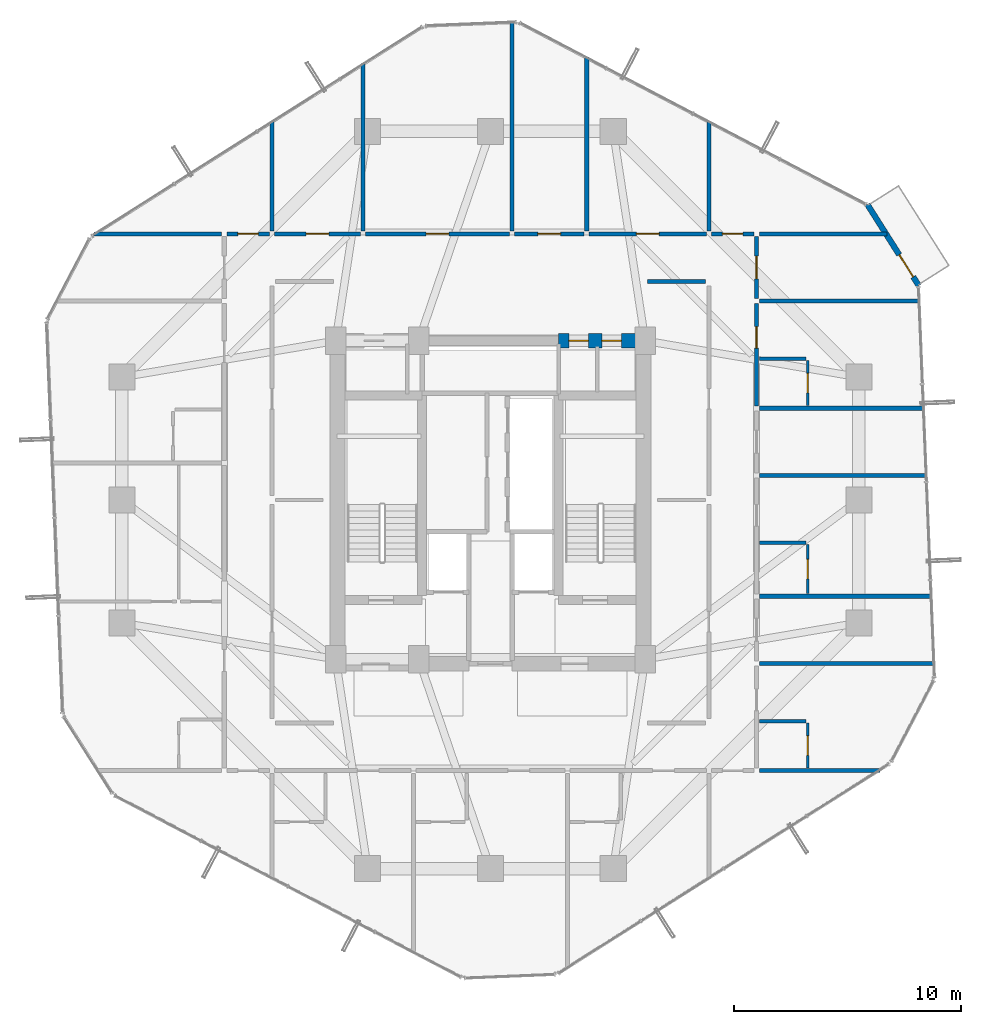
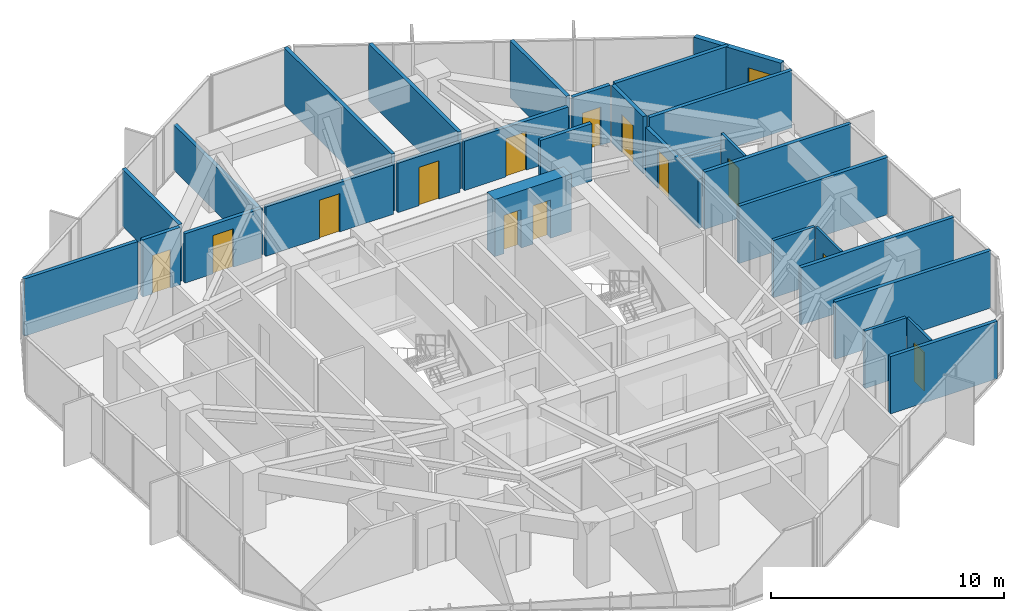
# One storey, part 29 of 32: 30 walls, 14 doors, 14 openings.
"""IFC4 building model written with IfcOpenShell, lengths in metres."""

from ifc_helpers import new_model, si_unit, direction, frame, frame_2d, origin, place, context, subcontext, project, spatial, rectangle, extrude, source, transform, mapped, material, layer, layer_set, type_object, element, fill, save


model = new_model("IFC4")

# Units and contexts
model_context = context("Model", 3, precision=1e-05, world=origin(), true_north=direction((0.0, 1.0)))
body_context = subcontext(model_context, "Body", "Model", "MODEL_VIEW")
ifc_project = project(units=[si_unit("LENGTHUNIT", "METRE"), si_unit("AREAUNIT", "SQUARE_METRE"), si_unit("VOLUMEUNIT", "CUBIC_METRE"), si_unit("PLANEANGLEUNIT", "RADIAN"), si_unit("MASSUNIT", "GRAM", prefix="KILO")], contexts=[model_context])

# Site, building, storey
site_placement = place(None, origin())
site = spatial("IfcSite", under=ifc_project, at=site_placement, CompositionType="ELEMENT")
building_placement = place(site_placement, origin())
building = spatial("IfcBuilding", under=site, at=building_placement, Name="Veraguas Prism Commons", CompositionType="ELEMENT")
storey_placement = place(building_placement, frame((0.0, 0.0, 136.0)))
storey = spatial("IfcBuildingStorey", under=building, at=storey_placement, Name="L38", CompositionType="ELEMENT", Elevation=136.0)

# Wall, openings, doors
ifc_material_1 = material(Name="Concrete C55/67", Category="concrete")
ifc_layer_1 = layer(ifc_material_1, 0.64990234375, Name="Core Outer Shear Wall Mid RC 650", Category="concrete")
ifc_layer_set_1 = layer_set([ifc_layer_1], Name="Concrete C55/67")
wall_type_1 = type_object("IfcWallType", Name="Core Outer Shear Wall Mid RC 650", PredefinedType="SHEAR", material=ifc_layer_set_1)
wall_1_placement = place(storey_placement, frame((27.0, 31.0, 0.0), z_axis=(0.0, 0.0, 1.0), x_axis=(1.0, 0.0, 0.0)))
wall_1 = element("IfcWall", 1, at=wall_1_placement, inside=storey, type_object=wall_type_1, Name="Central Core North-East Shear Wall L38", PredefinedType="SHEAR", context=body_context, shape_type="SweptSolid", body=[
    extrude(rectangle(XDim=3.800048828125, YDim=0.64990234375, at=frame_2d((1.89990234375, 0.0))), origin(), (0.0, 0.0, 1.0), 3.0),
])
opening_1_placement = place(wall_1_placement, frame((0.449951171875, 0.0, 0.0)))
opening_1 = element("IfcOpeningElement", 2, at=opening_1_placement, cuts=wall_1, Name="Opening DR-12", PredefinedType="OPENING", context=body_context, shape_type="SweptSolid", body=[
    extrude(rectangle(XDim=0.860107421875, YDim=2.010009765625, at=frame_2d((0.43017578125, 1.0048828125))), frame((0.0, 0.3349609375, 0.0), z_axis=(0.0, -1.0, 0.0), x_axis=(1.0, 0.0, 0.0)), (0.0, 0.0, 1.0), 0.669921875),
])
opening_2_placement = place(wall_1_placement, frame((1.89990234375, 0.0, 0.0)))
opening_2 = element("IfcOpeningElement", 3, at=opening_2_placement, cuts=wall_1, Name="Opening DR-12", PredefinedType="OPENING", context=body_context, shape_type="SweptSolid", body=[
    extrude(rectangle(XDim=0.860107421875, YDim=2.010009765625, at=frame_2d((0.43017578125, 1.0048828125))), frame((0.0, 0.3349609375, 0.0), z_axis=(0.0, -1.0, 0.0), x_axis=(1.0, 0.0, 0.0)), (0.0, 0.0, 1.0), 0.669921875),
])
ifc_material_2 = material(Name="Steel fire-rated door assembly", Category="steel")
door_type_1 = type_object("IfcDoorType", Name="Core WC Fire Door 860x2010", OperationType="NOTDEFINED", PredefinedType="DOOR", material=ifc_material_2)
shared_shape_1 = source(origin(), body_context, "Body", "SweptSolid", [
    extrude(rectangle(XDim=0.860107421875, YDim=2.010009765625, at=frame_2d((0.43017578125, 1.0048828125))), frame((0.0, 0.02490234375, 0.0), z_axis=(0.0, -1.0, 0.0), x_axis=(1.0, 0.0, 0.0)), (0.0, 0.0, 1.0), 0.050048828125),
])
door_1_placement = place(opening_1_placement, origin())
door_1 = element("IfcDoor", 4, at=door_1_placement, inside=storey, type_object=door_type_1, Name="Core NE Room A Door L38", OperationType="SINGLE_SWING_LEFT", OverallHeight=2.010009765625, OverallWidth=0.860107421875, PredefinedType="DOOR", context=body_context, shape_type="MappedRepresentation", body=[
    mapped(shared_shape_1, transform((0.0, 0.0, 0.0), scale=1.0)),
])
fill(opening_1, door_1)
door_2_placement = place(opening_2_placement, origin())
door_2 = element("IfcDoor", 5, at=door_2_placement, inside=storey, type_object=door_type_1, Name="Core NE Room B Door L38", OperationType="SINGLE_SWING_RIGHT", OverallHeight=2.010009765625, OverallWidth=0.860107421875, PredefinedType="DOOR", context=body_context, shape_type="MappedRepresentation", body=[
    mapped(shared_shape_1, transform((0.0, 0.0, 0.0), scale=1.0)),
])
fill(opening_2, door_2)

# Walls
ifc_material_3 = material(Name="Autoclaved aerated masonry block 10 MPa", Category="masonry")
ifc_layer_2 = layer(ifc_material_3, 0.179931640625, Name="Corridor and Inter-Tenancy Partition 180", Category="masonry")
ifc_layer_set_2 = layer_set([ifc_layer_2], Name="Autoclaved aerated masonry block 10 MPa")
wall_type_2 = type_object("IfcWallType", Name="Corridor and Inter-Tenancy Partition 180", PredefinedType="PARTITIONING", material=ifc_layer_set_2)
wall_2_placement = place(storey_placement, frame((30.89990234375, 33.60009765625, 0.0), z_axis=(0.0, 0.0, 1.0), x_axis=(1.0, 0.0, 0.0)))
element("IfcWall", 6, at=wall_2_placement, inside=storey, type_object=wall_type_2, Name="WL-L38-IREN", PredefinedType="PARTITIONING", context=body_context, shape_type="SweptSolid", body=[
    extrude(rectangle(XDim=2.550048828125, YDim=0.179931640625, at=frame_2d((1.27490234375, 0.0))), origin(), (0.0, 0.0, 1.0), 3.0),
])
wall_3_placement = place(storey_placement, frame((14.39990234375, 35.820068359375, 0.0), z_axis=(0.0, 0.0, 1.0), x_axis=(0.0, 1.0, 0.0)))
element("IfcWall", 7, at=wall_3_placement, inside=storey, type_object=wall_type_2, Name="WL-L38-PT014", PredefinedType="PARTITIONING", context=body_context, shape_type="SweptSolid", body=[
    extrude(rectangle(XDim=4.84130859375, YDim=0.179931640625, at=frame_2d((2.420654296875, 0.0))), origin(), (0.0, 0.0, 1.0), 3.0),
])
wall_4_placement = place(storey_placement, frame((33.60009765625, 35.820068359375, 0.0), z_axis=(0.0, 0.0, 1.0), x_axis=(0.0, 1.0, 0.0)))
element("IfcWall", 8, at=wall_4_placement, inside=storey, type_object=wall_type_2, Name="WL-L38-PT015", PredefinedType="PARTITIONING", context=body_context, shape_type="SweptSolid", body=[
    extrude(rectangle(XDim=4.83984375, YDim=0.179931640625, at=frame_2d((2.419921875, 0.0))), origin(), (0.0, 0.0, 1.0), 3.0),
])

# Wall, opening, door
wall_5_placement = place(storey_placement, frame((14.510009765625, 35.699951171875, 0.0), z_axis=(0.0, 0.0, 1.0), x_axis=(1.0, 0.0, 0.0)))
wall_5 = element("IfcWall", 9, at=wall_5_placement, inside=storey, type_object=wall_type_2, Name="WL-L38-PT016", PredefinedType="PARTITIONING", context=body_context, shape_type="SweptSolid", body=[
    extrude(rectangle(XDim=3.787109375, YDim=0.179931640625, at=frame_2d((1.8935546875, 0.0))), origin(), (0.0, 0.0, 1.0), 2.580078125),
])
opening_3_placement = place(wall_5_placement, frame((1.3935546875, 0.0, 0.0)))
opening_3 = element("IfcOpeningElement", 10, at=opening_3_placement, cuts=wall_5, Name="Opening DR-13", PredefinedType="OPENING", context=body_context, shape_type="SweptSolid", body=[
    extrude(rectangle(XDim=1.0, YDim=2.010009765625, at=frame_2d((0.5, 1.0048828125))), frame((0.0, 0.099853515625, 0.0), z_axis=(0.0, -1.0, 0.0), x_axis=(1.0, 0.0, 0.0)), (0.0, 0.0, 1.0), 0.199951171875),
])
door_type_2 = type_object("IfcDoorType", Name="Core Accessible WC and Clinic Fire Door 1000x2010", OperationType="NOTDEFINED", PredefinedType="DOOR", material=ifc_material_2)
shared_shape_2 = source(origin(), body_context, "Body", "SweptSolid", [
    extrude(rectangle(XDim=1.0, YDim=2.010009765625, at=frame_2d((0.5, 1.0048828125))), frame((0.0, 0.02490234375, 0.0), z_axis=(0.0, -1.0, 0.0), x_axis=(1.0, 0.0, 0.0)), (0.0, 0.0, 1.0), 0.050048828125),
])
door_3_placement = place(opening_3_placement, origin())
door_3 = element("IfcDoor", 11, at=door_3_placement, inside=storey, type_object=door_type_2, Name="Residents Study Room Door", OperationType="SINGLE_SWING_RIGHT", OverallHeight=2.010009765625, OverallWidth=1.0, PredefinedType="DOOR", context=body_context, shape_type="MappedRepresentation", body=[
    mapped(shared_shape_2, transform((0.0, 0.0, 0.0), scale=1.0)),
])
fill(opening_3, door_3)

wall_6_placement = place(storey_placement, frame((18.51708984375, 35.699951171875, 0.0), z_axis=(0.0, 0.0, 1.0), x_axis=(1.0, 0.0, 0.0)))
wall_6 = element("IfcWall", 12, at=wall_6_placement, inside=storey, type_object=wall_type_2, Name="WL-L38-PT017", PredefinedType="PARTITIONING", context=body_context, shape_type="SweptSolid", body=[
    extrude(rectangle(XDim=6.31689453125, YDim=0.179931640625, at=frame_2d((3.158447265625, 0.0))), origin(), (0.0, 0.0, 1.0), 2.580078125),
])
opening_4_placement = place(wall_6_placement, frame((2.658447265625, 0.0, 0.0)))
opening_4 = element("IfcOpeningElement", 13, at=opening_4_placement, cuts=wall_6, Name="Opening DR-13", PredefinedType="OPENING", context=body_context, shape_type="SweptSolid", body=[
    extrude(rectangle(XDim=1.0, YDim=2.010009765625, at=frame_2d((0.5, 1.0048828125))), frame((0.0, 0.099853515625, 0.0), z_axis=(0.0, -1.0, 0.0), x_axis=(1.0, 0.0, 0.0)), (0.0, 0.0, 1.0), 0.199951171875),
])
door_4_placement = place(opening_4_placement, origin())
door_4 = element("IfcDoor", 14, at=door_4_placement, inside=storey, type_object=door_type_2, Name="Co-op Store N Door", OperationType="SINGLE_SWING_LEFT", OverallHeight=2.010009765625, OverallWidth=1.0, PredefinedType="DOOR", context=body_context, shape_type="MappedRepresentation", body=[
    mapped(shared_shape_2, transform((0.0, 0.0, 0.0), scale=1.0)),
])
fill(opening_4, door_4)

# Walls
wall_7_placement = place(storey_placement, frame((18.406982421875, 35.820068359375, 0.0), z_axis=(0.0, 0.0, 1.0), x_axis=(0.0, 1.0, 0.0)))
element("IfcWall", 15, at=wall_7_placement, inside=storey, type_object=wall_type_2, Name="WL-L38-PT018", PredefinedType="PARTITIONING", context=body_context, shape_type="SweptSolid", body=[
    extrude(rectangle(XDim=7.37841796875, YDim=0.179931640625, at=frame_2d((3.689208984375, 0.0))), origin(), (0.0, 0.0, 1.0), 2.3779296875),
])
wall_8_placement = place(storey_placement, frame((24.944091796875, 35.820068359375, 0.0), z_axis=(0.0, 0.0, 1.0), x_axis=(0.0, 1.0, 0.0)))
element("IfcWall", 16, at=wall_8_placement, inside=storey, type_object=wall_type_2, Name="WL-L38-PT019", PredefinedType="PARTITIONING", context=body_context, shape_type="SweptSolid", body=[
    extrude(rectangle(XDim=9.217041015625, YDim=0.179931640625, at=frame_2d((4.6083984375, 0.0))), origin(), (0.0, 0.0, 1.0), 3.0),
])

# Wall, opening, door
wall_9_placement = place(storey_placement, frame((25.053955078125, 35.699951171875, 0.0), z_axis=(0.0, 0.0, 1.0), x_axis=(1.0, 0.0, 0.0)))
wall_9 = element("IfcWall", 17, at=wall_9_placement, inside=storey, type_object=wall_type_2, Name="WL-L38-PT020", PredefinedType="PARTITIONING", context=body_context, shape_type="SweptSolid", body=[
    extrude(rectangle(XDim=3.069091796875, YDim=0.179931640625, at=frame_2d((1.53466796875, 0.0))), origin(), (0.0, 0.0, 1.0), 2.580078125),
])
opening_5_placement = place(wall_9_placement, frame((1.034423828125, 0.0, 0.0)))
opening_5 = element("IfcOpeningElement", 18, at=opening_5_placement, cuts=wall_9, Name="Opening DR-13", PredefinedType="OPENING", context=body_context, shape_type="SweptSolid", body=[
    extrude(rectangle(XDim=1.0, YDim=2.010009765625, at=frame_2d((0.5, 1.0048828125))), frame((0.0, 0.099853515625, 0.0), z_axis=(0.0, -1.0, 0.0), x_axis=(1.0, 0.0, 0.0)), (0.0, 0.0, 1.0), 0.199951171875),
])
door_5_placement = place(opening_5_placement, origin())
door_5 = element("IfcDoor", 19, at=door_5_placement, inside=storey, type_object=door_type_2, Name="Shared Laundry Room Door", OperationType="SINGLE_SWING_RIGHT", OverallHeight=2.010009765625, OverallWidth=1.0, PredefinedType="DOOR", context=body_context, shape_type="MappedRepresentation", body=[
    mapped(shared_shape_2, transform((0.0, 0.0, 0.0), scale=1.0)),
])
fill(opening_5, door_5)

wall_10_placement = place(storey_placement, frame((28.343017578125, 35.699951171875, 0.0), z_axis=(0.0, 0.0, 1.0), x_axis=(1.0, 0.0, 0.0)))
wall_10 = element("IfcWall", 20, at=wall_10_placement, inside=storey, type_object=wall_type_2, Name="WL-L38-PT021", PredefinedType="PARTITIONING", context=body_context, shape_type="SweptSolid", body=[
    extrude(rectangle(XDim=5.14697265625, YDim=0.179931640625, at=frame_2d((2.573486328125, 0.0))), origin(), (0.0, 0.0, 1.0), 2.580078125),
])
opening_6_placement = place(wall_10_placement, frame((2.073486328125, 0.0, 0.0)))
opening_6 = element("IfcOpeningElement", 21, at=opening_6_placement, cuts=wall_10, Name="Opening DR-13", PredefinedType="OPENING", context=body_context, shape_type="SweptSolid", body=[
    extrude(rectangle(XDim=1.0, YDim=2.010009765625, at=frame_2d((0.5, 1.0048828125))), frame((0.0, 0.099853515625, 0.0), z_axis=(0.0, -1.0, 0.0), x_axis=(1.0, 0.0, 0.0)), (0.0, 0.0, 1.0), 0.199951171875),
])
door_6_placement = place(opening_6_placement, origin())
door_6 = element("IfcDoor", 22, at=door_6_placement, inside=storey, type_object=door_type_2, Name="Co-op Store N Door", OperationType="SINGLE_SWING_LEFT", OverallHeight=2.010009765625, OverallWidth=1.0, PredefinedType="DOOR", context=body_context, shape_type="MappedRepresentation", body=[
    mapped(shared_shape_2, transform((0.0, 0.0, 0.0), scale=1.0)),
])
fill(opening_6, door_6)

# Walls
wall_11_placement = place(storey_placement, frame((28.23291015625, 35.820068359375, 0.0), z_axis=(0.0, 0.0, 1.0), x_axis=(0.0, 1.0, 0.0)))
element("IfcWall", 23, at=wall_11_placement, inside=storey, type_object=wall_type_2, Name="WL-L38-PT022", PredefinedType="PARTITIONING", context=body_context, shape_type="SweptSolid", body=[
    extrude(rectangle(XDim=7.65283203125, YDim=0.179931640625, at=frame_2d((3.826416015625, 0.0))), origin(), (0.0, 0.0, 1.0), 3.0),
])
wall_12_placement = place(storey_placement, frame((12.179931640625, 35.699951171875, 0.0), z_axis=(0.0, 0.0, 1.0), x_axis=(-1.0, 0.0, 0.0)))
element("IfcWall", 24, at=wall_12_placement, inside=storey, type_object=wall_type_2, Name="WL-L38-PT024", PredefinedType="PARTITIONING", context=body_context, shape_type="SweptSolid", body=[
    extrude(rectangle(XDim=5.615966796875, YDim=0.179931640625, at=frame_2d((2.80810546875, 0.0))), origin(), (0.0, 0.0, 1.0), 3.0),
])
wall_13_placement = place(storey_placement, frame((35.820068359375, 12.10009765625, 0.0), z_axis=(0.0, 0.0, 1.0), x_axis=(1.0, 0.0, 0.0)))
element("IfcWall", 25, at=wall_13_placement, inside=storey, type_object=wall_type_2, Name="WL-L38-PT037", PredefinedType="PARTITIONING", context=body_context, shape_type="SweptSolid", body=[
    extrude(rectangle(XDim=5.300048828125, YDim=0.179931640625, at=frame_2d((2.64990234375, 0.0))), origin(), (0.0, 0.0, 1.0), 3.0),
])
wall_14_placement = place(storey_placement, frame((35.820068359375, 35.699951171875, 0.0), z_axis=(0.0, 0.0, 1.0), x_axis=(1.0, 0.0, 0.0)))
element("IfcWall", 26, at=wall_14_placement, inside=storey, type_object=wall_type_2, Name="WL-L38-PT038", PredefinedType="PARTITIONING", context=body_context, shape_type="SweptSolid", body=[
    extrude(rectangle(XDim=5.60498046875, YDim=0.179931640625, at=frame_2d((2.802490234375, 0.0))), origin(), (0.0, 0.0, 1.0), 3.0),
])
wall_15_placement = place(storey_placement, frame((35.820068359375, 16.818115234375, 0.0), z_axis=(0.0, 0.0, 1.0), x_axis=(1.0, 0.0, 0.0)))
element("IfcWall", 27, at=wall_15_placement, inside=storey, type_object=wall_type_2, Name="WL-L38-PT040", PredefinedType="PARTITIONING", context=body_context, shape_type="SweptSolid", body=[
    extrude(rectangle(XDim=7.701904296875, YDim=0.179931640625, at=frame_2d((3.85107421875, 0.0))), origin(), (0.0, 0.0, 1.0), 3.0),
])
wall_16_placement = place(storey_placement, frame((35.820068359375, 19.76806640625, 0.0), z_axis=(0.0, 0.0, 1.0), x_axis=(1.0, 0.0, 0.0)))
element("IfcWall", 28, at=wall_16_placement, inside=storey, type_object=wall_type_2, Name="WL-L38-PT044", PredefinedType="PARTITIONING", context=body_context, shape_type="SweptSolid", body=[
    extrude(rectangle(XDim=7.58154296875, YDim=0.179931640625, at=frame_2d((3.790771484375, 0.0))), origin(), (0.0, 0.0, 1.0), 3.0),
])
wall_17_placement = place(storey_placement, frame((35.820068359375, 25.08203125, 0.0), z_axis=(0.0, 0.0, 1.0), x_axis=(1.0, 0.0, 0.0)))
element("IfcWall", 29, at=wall_17_placement, inside=storey, type_object=wall_type_2, Name="WL-L38-PT046", PredefinedType="PARTITIONING", context=body_context, shape_type="SweptSolid", body=[
    extrude(rectangle(XDim=7.3642578125, YDim=0.179931640625, at=frame_2d((3.68212890625, 0.0))), origin(), (0.0, 0.0, 1.0), 3.0),
])
wall_18_placement = place(storey_placement, frame((35.820068359375, 28.031982421875, 0.0), z_axis=(0.0, 0.0, 1.0), x_axis=(1.0, 0.0, 0.0)))
element("IfcWall", 30, at=wall_18_placement, inside=storey, type_object=wall_type_2, Name="WL-L38-PT050", PredefinedType="PARTITIONING", context=body_context, shape_type="SweptSolid", body=[
    extrude(rectangle(XDim=7.24365234375, YDim=0.179931640625, at=frame_2d((3.621826171875, 0.0))), origin(), (0.0, 0.0, 1.0), 3.0),
])

# Wall, opening, door
wall_19_placement = place(storey_placement, frame((35.699951171875, 32.860107421875, 0.0), z_axis=(0.0, 0.0, 1.0), x_axis=(0.0, 1.0, 0.0)))
wall_19 = element("IfcWall", 31, at=wall_19_placement, inside=storey, type_object=wall_type_2, Name="WL-L38-PT051", PredefinedType="PARTITIONING", context=body_context, shape_type="SweptSolid", body=[
    extrude(rectangle(XDim=2.72998046875, YDim=0.179931640625, at=frame_2d((1.364990234375, 0.0))), origin(), (0.0, 0.0, 1.0), 3.0),
])
opening_7_placement = place(wall_19_placement, frame((0.864990234375, 0.0, 0.0)))
opening_7 = element("IfcOpeningElement", 32, at=opening_7_placement, cuts=wall_19, Name="Opening DR-13", PredefinedType="OPENING", context=body_context, shape_type="SweptSolid", body=[
    extrude(rectangle(XDim=1.0, YDim=2.010009765625, at=frame_2d((0.5, 1.0048828125))), frame((0.0, 0.099853515625, 0.0), z_axis=(0.0, -1.0, 0.0), x_axis=(1.0, 0.0, 0.0)), (0.0, 0.0, 1.0), 0.199951171875),
])
door_7_placement = place(opening_7_placement, origin())
door_7 = element("IfcDoor", 33, at=door_7_placement, inside=storey, type_object=door_type_2, Name="Quiet Study E Door", OperationType="SINGLE_SWING_LEFT", OverallHeight=2.010009765625, OverallWidth=1.0, PredefinedType="DOOR", context=body_context, shape_type="MappedRepresentation", body=[
    mapped(shared_shape_2, transform((0.0, 0.0, 0.0), scale=1.0)),
])
fill(opening_7, door_7)

# Wall
wall_20_placement = place(storey_placement, frame((35.820068359375, 32.75, 0.0), z_axis=(0.0, 0.0, 1.0), x_axis=(1.0, 0.0, 0.0)))
element("IfcWall", 34, at=wall_20_placement, inside=storey, type_object=wall_type_2, Name="WL-L38-PT052", PredefinedType="PARTITIONING", context=body_context, shape_type="SweptSolid", body=[
    extrude(rectangle(XDim=7.051025390625, YDim=0.179931640625, at=frame_2d((3.525390625, 0.0))), origin(), (0.0, 0.0, 1.0), 3.0),
])

# Wall, opening, door
wall_21_placement = place(storey_placement, frame((35.699951171875, 28.14208984375, 0.0), z_axis=(0.0, 0.0, 1.0), x_axis=(0.0, 1.0, 0.0)))
wall_21 = element("IfcWall", 35, at=wall_21_placement, inside=storey, type_object=wall_type_2, Name="WL-L38-PT053", PredefinedType="PARTITIONING", context=body_context, shape_type="SweptSolid", body=[
    extrude(rectangle(XDim=4.497802734375, YDim=0.179931640625, at=frame_2d((2.2490234375, 0.0))), origin(), (0.0, 0.0, 1.0), 2.580078125),
])
opening_8_placement = place(wall_21_placement, frame((2.529541015625, 0.0, 0.0)))
opening_8 = element("IfcOpeningElement", 36, at=opening_8_placement, cuts=wall_21, Name="Opening DR-01", PredefinedType="OPENING", context=body_context, shape_type="SweptSolid", body=[
    extrude(rectangle(XDim=0.949951171875, YDim=2.02001953125, at=frame_2d((0.47509765625, 1.010009765625))), frame((0.0, 0.099853515625, 0.0), z_axis=(0.0, -1.0, 0.0), x_axis=(1.0, 0.0, 0.0)), (0.0, 0.0, 1.0), 0.199951171875),
])
ifc_material_4 = material(Name="Anodised aluminium EN AW-6063 T6", Category="aluminium")
door_type_3 = type_object("IfcDoorType", Name="Apartment Entrance Fire Door 950x2020", OperationType="NOTDEFINED", PredefinedType="DOOR", material=ifc_material_4)
shared_shape_3 = source(origin(), body_context, "Body", "SweptSolid", [
    extrude(rectangle(XDim=0.949951171875, YDim=2.02001953125, at=frame_2d((0.47509765625, 1.010009765625))), frame((0.0, 0.02490234375, 0.0), z_axis=(0.0, -1.0, 0.0), x_axis=(1.0, 0.0, 0.0)), (0.0, 0.0, 1.0), 0.050048828125),
])
door_8_placement = place(opening_8_placement, origin())
door_8 = element("IfcDoor", 37, at=door_8_placement, inside=storey, type_object=door_type_3, Name="Studio 38H Entrance Door", OperationType="SINGLE_SWING_RIGHT", OverallHeight=2.02001953125, OverallWidth=0.949951171875, PredefinedType="DOOR", context=body_context, shape_type="MappedRepresentation", body=[
    mapped(shared_shape_3, transform((0.0, 0.0, 0.0), scale=1.0)),
])
fill(opening_8, door_8)

wall_22_placement = place(storey_placement, frame((12.419921875, 35.699951171875, 0.0), z_axis=(0.0, 0.0, 1.0), x_axis=(1.0, 0.0, 0.0)))
wall_22 = element("IfcWall", 38, at=wall_22_placement, inside=storey, type_object=wall_type_2, Name="WL-L38-PT058", PredefinedType="PARTITIONING", context=body_context, shape_type="SweptSolid", body=[
    extrude(rectangle(XDim=1.860107421875, YDim=0.179931640625, at=frame_2d((0.93017578125, 0.0))), origin(), (0.0, 0.0, 1.0), 3.0),
])
opening_9_placement = place(wall_22_placement, frame((0.47998046875, 0.0, 0.0)))
opening_9 = element("IfcOpeningElement", 39, at=opening_9_placement, cuts=wall_22, Name="Opening DR-14", PredefinedType="OPENING", context=body_context, shape_type="SweptSolid", body=[
    extrude(rectangle(XDim=0.89990234375, YDim=2.010009765625, at=frame_2d((0.449951171875, 1.0048828125))), frame((0.0, 0.099853515625, 0.0), z_axis=(0.0, -1.0, 0.0), x_axis=(1.0, 0.0, 0.0)), (0.0, 0.0, 1.0), 0.199951171875),
])
door_type_4 = type_object("IfcDoorType", Name="Core Service Room Fire Door 900x2010", OperationType="NOTDEFINED", PredefinedType="DOOR", material=ifc_material_2)
shared_shape_4 = source(origin(), body_context, "Body", "SweptSolid", [
    extrude(rectangle(XDim=0.89990234375, YDim=2.010009765625, at=frame_2d((0.449951171875, 1.0048828125))), frame((0.0, 0.02490234375, 0.0), z_axis=(0.0, -1.0, 0.0), x_axis=(1.0, 0.0, 0.0)), (0.0, 0.0, 1.0), 0.050048828125),
])
door_9_placement = place(opening_9_placement, origin())
door_9 = element("IfcDoor", 40, at=door_9_placement, inside=storey, type_object=door_type_4, Name="Residents Cycle and Pram Store NW Door", OperationType="SINGLE_SWING_RIGHT", OverallHeight=2.010009765625, OverallWidth=0.89990234375, PredefinedType="DOOR", context=body_context, shape_type="MappedRepresentation", body=[
    mapped(shared_shape_4, transform((0.0, 0.0, 0.0), scale=1.0)),
])
fill(opening_9, door_9)

wall_23_placement = place(storey_placement, frame((33.719970703125, 35.699951171875, 0.0), z_axis=(0.0, 0.0, 1.0), x_axis=(1.0, 0.0, 0.0)))
wall_23 = element("IfcWall", 41, at=wall_23_placement, inside=storey, type_object=wall_type_2, Name="WL-L38-PT059", PredefinedType="PARTITIONING", context=body_context, shape_type="SweptSolid", body=[
    extrude(rectangle(XDim=1.860107421875, YDim=0.179931640625, at=frame_2d((0.93017578125, 0.0))), origin(), (0.0, 0.0, 1.0), 3.0),
])
opening_10_placement = place(wall_23_placement, frame((0.47998046875, 0.0, 0.0)))
opening_10 = element("IfcOpeningElement", 42, at=opening_10_placement, cuts=wall_23, Name="Opening DR-14", PredefinedType="OPENING", context=body_context, shape_type="SweptSolid", body=[
    extrude(rectangle(XDim=0.89990234375, YDim=2.010009765625, at=frame_2d((0.449951171875, 1.0048828125))), frame((0.0, 0.099853515625, 0.0), z_axis=(0.0, -1.0, 0.0), x_axis=(1.0, 0.0, 0.0)), (0.0, 0.0, 1.0), 0.199951171875),
])
door_10_placement = place(opening_10_placement, origin())
door_10 = element("IfcDoor", 43, at=door_10_placement, inside=storey, type_object=door_type_4, Name="Residents Corner Study Room NE Door", OperationType="SINGLE_SWING_LEFT", OverallHeight=2.010009765625, OverallWidth=0.89990234375, PredefinedType="DOOR", context=body_context, shape_type="MappedRepresentation", body=[
    mapped(shared_shape_4, transform((0.0, 0.0, 0.0), scale=1.0)),
])
fill(opening_10, door_10)

ifc_material_5 = material(Name="Precast concrete C40/50", Category="concrete")
ifc_layer_3 = layer(ifc_material_5, 0.25, Name="External Loggia and Portal Wall 250", Category="concrete")
ifc_layer_set_3 = layer_set([ifc_layer_3], Name="Precast concrete C40/50")
wall_type_3 = type_object("IfcWallType", Name="External Loggia and Portal Wall 250", PredefinedType="SOLIDWALL", material=ifc_layer_set_3)
wall_24_placement = place(storey_placement, frame((42.83349609375, 33.41943359375, 0.0), z_axis=(0.0, 0.0, 1.0), x_axis=(-0.534940933302, 0.84488945897, 0.0)))
wall_24 = element("IfcWall", 44, at=wall_24_placement, inside=storey, type_object=wall_type_3, Name="Corner Loggia Wall L38-C1", PredefinedType="SOLIDWALL", context=body_context, shape_type="SweptSolid", body=[
    extrude(rectangle(XDim=4.23291015625, YDim=0.25, at=frame_2d((2.116455078125, 0.0))), origin(), (0.0, 0.0, 1.0), 3.0),
])
opening_11_placement = place(wall_24_placement, frame((0.4599609375, 0.0, 0.0)))
opening_11 = element("IfcOpeningElement", 45, at=opening_11_placement, cuts=wall_24, Name="Opening DR-10", PredefinedType="OPENING", context=body_context, shape_type="SweptSolid", body=[
    extrude(rectangle(XDim=1.14990234375, YDim=2.25, at=frame_2d((0.574951171875, 1.125))), frame((0.0, 0.135009765625, 0.0), z_axis=(0.0, -1.0, 0.0), x_axis=(1.0, 0.0, 0.0)), (0.0, 0.0, 1.0), 0.27001953125),
])
door_type_5 = type_object("IfcDoorType", Name="Glazed Loggia and Terrace Door 1150x2250", OperationType="NOTDEFINED", PredefinedType="DOOR", material=ifc_material_4)
shared_shape_5 = source(origin(), body_context, "Body", "SweptSolid", [
    extrude(rectangle(XDim=1.14990234375, YDim=2.25, at=frame_2d((0.574951171875, 1.125))), frame((0.0, 0.02490234375, 0.0), z_axis=(0.0, -1.0, 0.0), x_axis=(1.0, 0.0, 0.0)), (0.0, 0.0, 1.0), 0.050048828125),
])
door_11_placement = place(opening_11_placement, frame((1.14990234375, 0.0, 0.0), z_axis=(0.0, 0.0, 1.0), x_axis=(-1.0, 0.0, 0.0)))
door_11 = element("IfcDoor", 46, at=door_11_placement, inside=storey, type_object=door_type_5, Name="Recessed Loggia Door L38-C1", OperationType="SINGLE_SWING_RIGHT", OverallHeight=2.25, OverallWidth=1.14990234375, PredefinedType="DOOR", context=body_context, shape_type="MappedRepresentation", body=[
    mapped(shared_shape_5, transform((0.0, 0.0, 0.0), scale=1.0)),
])
fill(opening_11, door_11)

ifc_material_6 = material(Name="Lightweight acoustic gypsum board")
ifc_layer_4 = layer(ifc_material_6, 0.125, Name="Internal Apartment Room Partition 125")
ifc_layer_set_4 = layer_set([ifc_layer_4], Name="Lightweight acoustic gypsum board")
wall_type_4 = type_object("IfcWallType", Name="Internal Apartment Room Partition 125", PredefinedType="PARTITIONING", material=ifc_layer_set_4)
wall_25_placement = place(storey_placement, frame((37.949951171875, 12.219970703125, 0.0), z_axis=(0.0, 0.0, 1.0), x_axis=(0.0, 1.0, 0.0)))
wall_25 = element("IfcWall", 47, at=wall_25_placement, inside=storey, type_object=wall_type_4, Name="WL-L38-PT043", PredefinedType="PARTITIONING", context=body_context, shape_type="SweptSolid", body=[
    extrude(rectangle(XDim=1.969970703125, YDim=0.125, at=frame_2d((0.98486328125, 0.0))), origin(), (0.0, 0.0, 1.0), 3.0),
])
opening_12_placement = place(wall_25_placement, frame((0.554931640625, 0.0, 0.0)))
opening_12 = element("IfcOpeningElement", 48, at=opening_12_placement, cuts=wall_25, Name="Opening DR-03", PredefinedType="OPENING", context=body_context, shape_type="SweptSolid", body=[
    extrude(rectangle(XDim=0.860107421875, YDim=2.010009765625, at=frame_2d((0.43017578125, 1.0048828125))), frame((0.0, 0.072509765625, 0.0), z_axis=(0.0, -1.0, 0.0), x_axis=(1.0, 0.0, 0.0)), (0.0, 0.0, 1.0), 0.14501953125),
])
ifc_material_7 = material(Name="Timber moisture-resistant leaf", Category="wood")
door_type_6 = type_object("IfcDoorType", Name="Internal Bathroom Door 860x2010", OperationType="NOTDEFINED", PredefinedType="DOOR", material=ifc_material_7)
door_12_placement = place(opening_12_placement, origin())
door_12 = element("IfcDoor", 49, at=door_12_placement, inside=storey, type_object=door_type_6, Name="Studio 38F Bathroom Door", OperationType="SINGLE_SWING_LEFT", OverallHeight=2.010009765625, OverallWidth=0.860107421875, PredefinedType="DOOR", context=body_context, shape_type="MappedRepresentation", body=[
    mapped(shared_shape_1, transform((0.0, 0.0, 0.0), scale=1.0)),
])
fill(opening_12, door_12)

wall_26_placement = place(storey_placement, frame((37.949951171875, 19.887939453125, 0.0), z_axis=(0.0, 0.0, 1.0), x_axis=(0.0, 1.0, 0.0)))
wall_26 = element("IfcWall", 50, at=wall_26_placement, inside=storey, type_object=wall_type_4, Name="WL-L38-PT049", PredefinedType="PARTITIONING", context=body_context, shape_type="SweptSolid", body=[
    extrude(rectangle(XDim=2.150146484375, YDim=0.125, at=frame_2d((1.0751953125, 0.0))), origin(), (0.0, 0.0, 1.0), 3.0),
])
opening_13_placement = place(wall_26_placement, frame((0.64501953125, 0.0, 0.0)))
opening_13 = element("IfcOpeningElement", 51, at=opening_13_placement, cuts=wall_26, Name="Opening DR-03", PredefinedType="OPENING", context=body_context, shape_type="SweptSolid", body=[
    extrude(rectangle(XDim=0.860107421875, YDim=2.010009765625, at=frame_2d((0.43017578125, 1.0048828125))), frame((0.0, 0.072509765625, 0.0), z_axis=(0.0, -1.0, 0.0), x_axis=(1.0, 0.0, 0.0)), (0.0, 0.0, 1.0), 0.14501953125),
])
door_13_placement = place(opening_13_placement, origin())
door_13 = element("IfcDoor", 52, at=door_13_placement, inside=storey, type_object=door_type_6, Name="Studio 38G Bathroom Door", OperationType="SINGLE_SWING_RIGHT", OverallHeight=2.010009765625, OverallWidth=0.860107421875, PredefinedType="DOOR", context=body_context, shape_type="MappedRepresentation", body=[
    mapped(shared_shape_1, transform((0.0, 0.0, 0.0), scale=1.0)),
])
fill(opening_13, door_13)

wall_27_placement = place(storey_placement, frame((37.949951171875, 28.152099609375, 0.0), z_axis=(0.0, 0.0, 1.0), x_axis=(0.0, 1.0, 0.0)))
wall_27 = element("IfcWall", 53, at=wall_27_placement, inside=storey, type_object=wall_type_4, Name="WL-L38-PT055", PredefinedType="PARTITIONING", context=body_context, shape_type="SweptSolid", body=[
    extrude(rectangle(XDim=1.969970703125, YDim=0.125, at=frame_2d((0.98486328125, 0.0))), origin(), (0.0, 0.0, 1.0), 3.0),
])
opening_14_placement = place(wall_27_placement, frame((0.554931640625, 0.0, 0.0)))
opening_14 = element("IfcOpeningElement", 54, at=opening_14_placement, cuts=wall_27, Name="Opening DR-03", PredefinedType="OPENING", context=body_context, shape_type="SweptSolid", body=[
    extrude(rectangle(XDim=0.860107421875, YDim=2.010009765625, at=frame_2d((0.43017578125, 1.0048828125))), frame((0.0, 0.072509765625, 0.0), z_axis=(0.0, -1.0, 0.0), x_axis=(1.0, 0.0, 0.0)), (0.0, 0.0, 1.0), 0.14501953125),
])
door_14_placement = place(opening_14_placement, origin())
door_14 = element("IfcDoor", 55, at=door_14_placement, inside=storey, type_object=door_type_6, Name="Studio 38H Bathroom Door", OperationType="SINGLE_SWING_LEFT", OverallHeight=2.010009765625, OverallWidth=0.860107421875, PredefinedType="DOOR", context=body_context, shape_type="MappedRepresentation", body=[
    mapped(shared_shape_1, transform((0.0, 0.0, 0.0), scale=1.0)),
])
fill(opening_14, door_14)

# Walls
ifc_layer_5 = layer(ifc_material_6, 0.14990234375, Name="Wet Room and Clinic Acoustic Partition 150")
ifc_layer_set_5 = layer_set([ifc_layer_5], Name="Lightweight acoustic gypsum board")
wall_type_5 = type_object("IfcWallType", Name="Wet Room and Clinic Acoustic Partition 150", PredefinedType="PARTITIONING", material=ifc_layer_set_5)
for number, where, z_axis, x_axis, name in (
    (56, (35.820068359375, 14.27001953125, 0.0), (0.0, 0.0, 1.0), (1.0, 0.0, 0.0), "WL-L38-PT042"),
    (57, (35.820068359375, 22.117919921875, 0.0), (0.0, 0.0, 1.0), (1.0, 0.0, 0.0), "WL-L38-PT048"),
):
    element("IfcWall", number, at=place(storey_placement, frame(where, z_axis=z_axis, x_axis=x_axis)), inside=storey, type_object=wall_type_5, Name=name, PredefinedType="PARTITIONING", context=body_context, shape_type="SweptSolid", body=[
        extrude(rectangle(XDim=2.050048828125, YDim=0.14990234375, at=frame_2d((1.02490234375, 0.0))), origin(), (0.0, 0.0, 1.0), 3.0),
    ])
wall_28_placement = place(storey_placement, frame((35.820068359375, 30.201904296875, 0.0), z_axis=(0.0, 0.0, 1.0), x_axis=(1.0, 0.0, 0.0)))
element("IfcWall", 58, at=wall_28_placement, inside=storey, type_object=wall_type_5, Name="WL-L38-PT054", PredefinedType="PARTITIONING", context=body_context, shape_type="SweptSolid", body=[
    extrude(rectangle(XDim=2.050048828125, YDim=0.14990234375, at=frame_2d((1.02490234375, 0.0))), origin(), (0.0, 0.0, 1.0), 2.3779296875),
])

save(model, "model.ifc")
